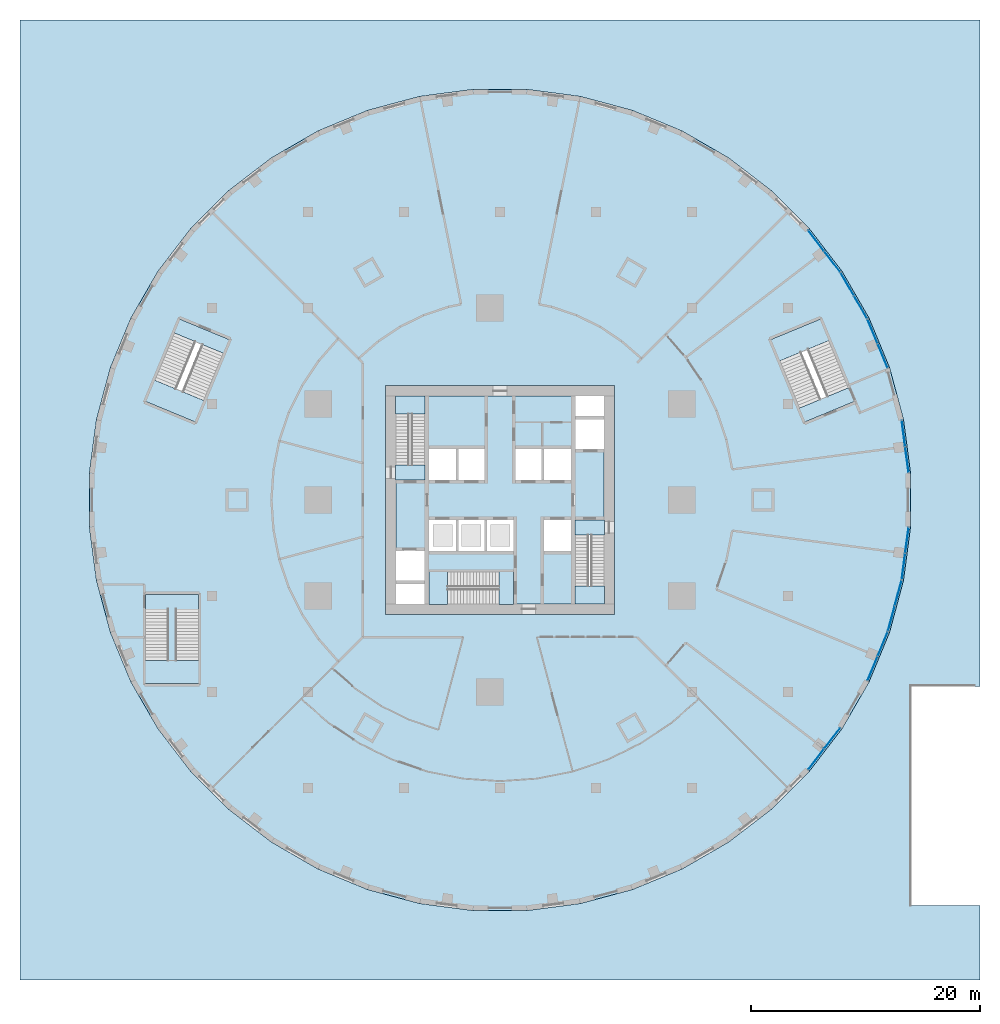
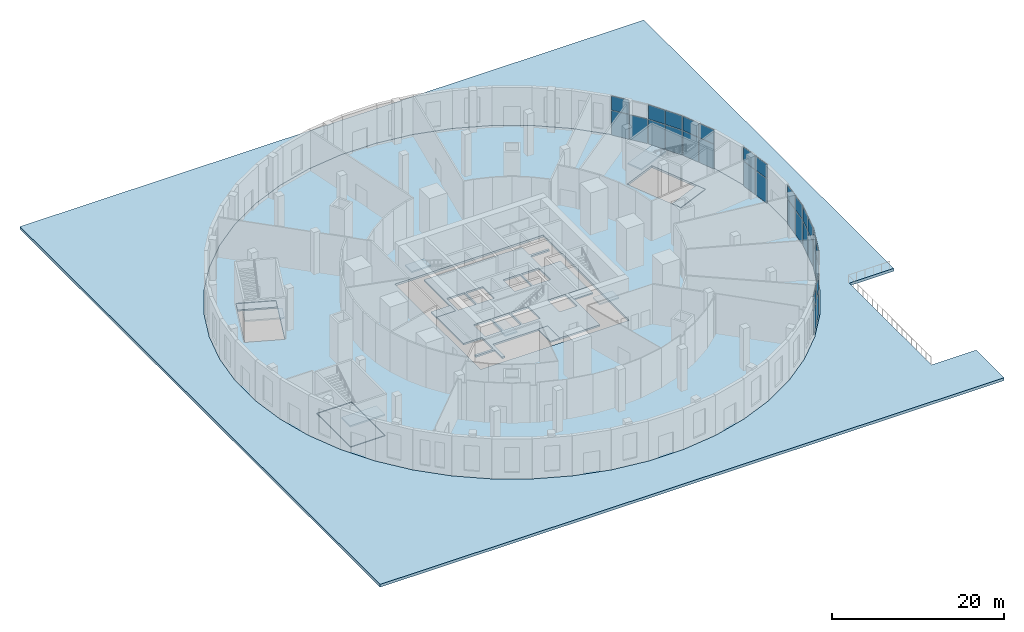
# One storey, part 6 of 19: 31 plates, 15 slabs, 14 elements without a shape of their own.
"""IFC4 building model written with IfcOpenShell, lengths in metres."""

from ifc_helpers import new_model, si_unit, direction, frame, origin, origin_2d, place, context, subcontext, project, spatial, polyline, rectangle, outline, extrude, material, layer, layer_set, type_object, element, aggregate, save


model = new_model("IFC4")

# Units and contexts
model_context = context("Model", 3, precision=1e-05, world=origin(), true_north=direction((0.0, 1.0)))
body_context = subcontext(model_context, "Body", "Model", "MODEL_VIEW")
ifc_project = project(units=[si_unit("LENGTHUNIT", "METRE"), si_unit("AREAUNIT", "SQUARE_METRE"), si_unit("VOLUMEUNIT", "CUBIC_METRE"), si_unit("PLANEANGLEUNIT", "RADIAN"), si_unit("MASSUNIT", "GRAM", prefix="KILO")], contexts=[model_context])

# Site, building, storey
site_placement = place(None, origin())
site = spatial("IfcSite", under=ifc_project, at=site_placement, CompositionType="ELEMENT")
building_placement = place(site_placement, origin())
building = spatial("IfcBuilding", under=site, at=building_placement, Name="Golbaran Civic Tower", CompositionType="ELEMENT")
storey_placement = place(building_placement, origin())
storey = spatial("IfcBuildingStorey", under=building, at=storey_placement, Name="L00", CompositionType="ELEMENT", Elevation=0.0)

# Slabs
ifc_material_1 = material(Name="Concrete C35/45", Category="concrete")
ifc_layer_1 = layer(ifc_material_1, 0.25, Name="Concrete C35/45")
ifc_layer_set_1 = layer_set([ifc_layer_1], Name="Concrete C35/45")
slab_type_1 = type_object("IfcSlabType", Name="CORE FLOOR SLAB 250", PredefinedType="FLOOR", material=ifc_layer_set_1)
slab_1_placement = place(storey_placement, frame((0.0, 0.0, -0.25)))
element("IfcSlab", 1, at=slab_1_placement, inside=storey, type_object=slab_type_1, Name="Core floor slab L00", PredefinedType="FLOOR", context=body_context, shape_type="SweptSolid", body=[
    extrude(outline(polyline([(6.60009765625, -1.75), (6.60009765625, -9.10009765625), (1.199951171875, -9.10009765625), (1.199951171875, -6.300048828125), (-6.199951171875, -6.300048828125), (-6.199951171875, -9.10009765625), (-6.60009765625, -9.10009765625), (-6.60009765625, -7.35009765625), (-9.10009765625, -7.35009765625), (-9.10009765625, -7.050048828125), (-6.60009765625, -7.050048828125), (-6.60009765625, -4.449951171875), (-9.10009765625, -4.449951171875), (-9.10009765625, 1.75), (-6.60009765625, 1.75), (-6.60009765625, 9.10009765625), (6.60009765625, 9.10009765625), (6.60009765625, 7.35009765625), (9.10009765625, 7.35009765625), (9.10009765625, 7.050048828125), (6.60009765625, 7.050048828125), (6.60009765625, 4.449951171875), (9.10009765625, 4.449951171875), (9.10009765625, -1.75), (6.60009765625, -1.75)]), holes=[polyline([(6.199951171875, -1.75), (3.85009765625, -1.75), (3.85009765625, -4.449951171875), (6.199951171875, -4.449951171875), (6.199951171875, -1.75)]), polyline([(6.199951171875, 4.449951171875), (3.85009765625, 4.449951171875), (3.85009765625, 1.75), (6.199951171875, 1.75), (6.199951171875, 4.449951171875)]), polyline([(3.64990234375, 4.449951171875), (1.35009765625, 4.449951171875), (1.35009765625, 1.75), (3.64990234375, 1.75), (3.64990234375, 4.449951171875)]), polyline([(1.199951171875, -1.75), (-1.14990234375, -1.75), (-1.14990234375, -4.449951171875), (1.199951171875, -4.449951171875), (1.199951171875, -1.75)]), polyline([(-1.35009765625, 4.449951171875), (-3.64990234375, 4.449951171875), (-3.64990234375, 1.75), (-1.35009765625, 1.75), (-1.35009765625, 4.449951171875)]), polyline([(-1.35009765625, -1.75), (-3.64990234375, -1.75), (-3.64990234375, -4.449951171875), (-1.35009765625, -4.449951171875), (-1.35009765625, -1.75)]), polyline([(-3.85009765625, -1.75), (-6.199951171875, -1.75), (-6.199951171875, -4.449951171875), (-3.85009765625, -4.449951171875), (-3.85009765625, -1.75)]), polyline([(-3.85009765625, 4.449951171875), (-6.199951171875, 4.449951171875), (-6.199951171875, 1.75), (-3.85009765625, 1.75), (-3.85009765625, 4.449951171875)])]), origin(), (0.0, 0.0, 1.0), 0.25),
])
ifc_layer_2 = layer(ifc_material_1, 0.39990234375, Name="Concrete C35/45")
ifc_layer_set_2 = layer_set([ifc_layer_2], Name="Concrete C35/45")
slab_type_2 = type_object("IfcSlabType", Name="PLAZA DECK 400", PredefinedType="FLOOR", material=ifc_layer_set_2)
slab_2_placement = place(storey_placement, frame((0.0, 0.0, -0.39990234375)))
element("IfcSlab", 2, at=slab_2_placement, inside=storey, type_object=slab_type_2, Name="Plaza deck over the basement", PredefinedType="FLOOR", context=body_context, shape_type="SweptSolid", body=[
    extrude(outline(polyline([(42.0, 42.0), (42.0, -16.300048828125), (36.0, -16.300048828125), (36.0, -35.5), (42.0, -35.5), (42.0, -42.0), (-42.0, -42.0), (-42.0, 42.0), (42.0, 42.0)]), holes=[polyline([(32.287353515625, 15.92236328125), (29.932861328125, 20.00048828125), (27.066162109375, 23.736328125), (23.736328125, 27.066162109375), (20.00048828125, 29.932861328125), (15.92236328125, 32.287353515625), (11.57177734375, 34.089599609375), (7.023193359375, 35.308349609375), (2.3544921875, 35.9228515625), (-2.3544921875, 35.9228515625), (-7.023193359375, 35.308349609375), (-11.57177734375, 34.089599609375), (-15.92236328125, 32.287353515625), (-20.00048828125, 29.932861328125), (-23.736328125, 27.066162109375), (-27.066162109375, 23.736328125), (-29.932861328125, 20.00048828125), (-32.287353515625, 15.92236328125), (-34.089599609375, 11.57177734375), (-35.308349609375, 7.023193359375), (-35.9228515625, 2.3544921875), (-35.9228515625, -2.3544921875), (-35.308349609375, -7.023193359375), (-34.089599609375, -11.57177734375), (-32.287353515625, -15.92236328125), (-29.932861328125, -20.00048828125), (-27.066162109375, -23.736328125), (-23.736328125, -27.066162109375), (-20.00048828125, -29.932861328125), (-15.92236328125, -32.287353515625), (-11.57177734375, -34.089599609375), (-7.023193359375, -35.308349609375), (-2.3544921875, -35.9228515625), (2.3544921875, -35.9228515625), (7.023193359375, -35.308349609375), (11.57177734375, -34.089599609375), (15.92236328125, -32.287353515625), (20.00048828125, -29.932861328125), (23.736328125, -27.066162109375), (27.066162109375, -23.736328125), (29.932861328125, -20.00048828125), (32.287353515625, -15.92236328125), (34.089599609375, -11.57177734375), (35.308349609375, -7.023193359375), (35.9228515625, -2.3544921875), (35.9228515625, 2.3544921875), (35.308349609375, 7.023193359375), (34.089599609375, 11.57177734375), (32.287353515625, 15.92236328125)])]), origin(), (0.0, 0.0, 1.0), 0.39990234375),
])
ifc_layer_3 = layer(ifc_material_1, 0.300048828125, Name="Concrete C35/45")
ifc_layer_set_3 = layer_set([ifc_layer_3], Name="Concrete C35/45")
slab_type_3 = type_object("IfcSlabType", Name="PODIUM FLOOR SLAB 300", PredefinedType="FLOOR", material=ifc_layer_set_3)
slab_3_placement = place(storey_placement, frame((0.0, 0.0, -0.300048828125)))
element("IfcSlab", 3, at=slab_3_placement, inside=storey, type_object=slab_type_3, Name="Podium floor slab L00", PredefinedType="FLOOR", context=body_context, shape_type="SweptSolid", body=[
    extrude(outline(polyline([(34.089599609375, -11.57177734375), (32.287353515625, -15.92236328125), (29.932861328125, -20.00048828125), (27.066162109375, -23.736328125), (23.736328125, -27.066162109375), (20.00048828125, -29.932861328125), (15.92236328125, -32.287353515625), (11.57177734375, -34.089599609375), (7.023193359375, -35.308349609375), (2.3544921875, -35.9228515625), (-2.3544921875, -35.9228515625), (-7.023193359375, -35.308349609375), (-11.57177734375, -34.089599609375), (-15.92236328125, -32.287353515625), (-20.00048828125, -29.932861328125), (-23.736328125, -27.066162109375), (-27.066162109375, -23.736328125), (-29.932861328125, -20.00048828125), (-32.287353515625, -15.92236328125), (-34.089599609375, -11.57177734375), (-35.308349609375, -7.023193359375), (-35.9228515625, -2.3544921875), (-35.9228515625, 2.3544921875), (-35.308349609375, 7.023193359375), (-34.089599609375, 11.57177734375), (-32.287353515625, 15.92236328125), (-29.932861328125, 20.00048828125), (-27.066162109375, 23.736328125), (-23.736328125, 27.066162109375), (-20.00048828125, 29.932861328125), (-15.92236328125, 32.287353515625), (-11.57177734375, 34.089599609375), (-7.023193359375, 35.308349609375), (-2.3544921875, 35.9228515625), (2.3544921875, 35.9228515625), (7.023193359375, 35.308349609375), (11.57177734375, 34.089599609375), (15.92236328125, 32.287353515625), (20.00048828125, 29.932861328125), (23.736328125, 27.066162109375), (27.066162109375, 23.736328125), (29.932861328125, 20.00048828125), (32.287353515625, 15.92236328125), (34.089599609375, 11.57177734375), (35.308349609375, 7.023193359375), (35.9228515625, 2.3544921875), (35.9228515625, -2.3544921875), (35.308349609375, -7.023193359375), (34.089599609375, -11.57177734375)]), holes=[polyline([(26.681884765625, 6.765625), (31.042724609375, 8.572021484375), (28.01171875, 15.88916015625), (23.651123046875, 14.082763671875), (26.681884765625, 6.765625)]), polyline([(-10.0, -10.0), (10.0, -10.0), (10.0, 10.0), (-10.0, 10.0), (-10.0, -10.0)]), polyline([(-23.651123046875, 14.082763671875), (-28.01171875, 15.88916015625), (-31.042724609375, 8.572021484375), (-26.681884765625, 6.765625), (-23.651123046875, 14.082763671875)]), polyline([(-31.06005859375, -8.18994140625), (-31.06005859375, -16.110107421875), (-26.340087890625, -16.110107421875), (-26.340087890625, -8.18994140625), (-31.06005859375, -8.18994140625)])]), origin(), (0.0, 0.0, 1.0), 0.300048828125),
])
slab_4_placement = place(storey_placement, frame((0.0, 0.0, -0.300048828125)))
element("IfcSlab", 4, at=slab_4_placement, inside=storey, type_object=slab_type_3, Name="P3 enclosure floor slab L00", PredefinedType="FLOOR", context=body_context, shape_type="SweptSolid", body=[
    extrude(outline(polyline([(-26.39990234375, -16.050048828125), (-31.0, -16.050048828125), (-31.0, -8.25), (-26.39990234375, -8.25), (-26.39990234375, -16.050048828125)])), origin(), (0.0, 0.0, 1.0), 0.300048828125),
])

# Curtain wall, plates
ifc_material_2 = material(Name="Aluminium and glass", Category="aluminium")
curtain_wall_type = type_object("IfcCurtainWallType", Name="PODIUM GLAZED SCREEN", PredefinedType="NOTDEFINED", material=ifc_material_2)
curtain_wall_1_placement = place(storey_placement, origin())
curtain_wall_1 = element("IfcCurtainWall", 5, at=curtain_wall_1_placement, inside=storey, type_object=curtain_wall_type, Name="Public service hall screen facet 1 CW5", ObjectType="PODIUM SCREEN", PredefinedType="USERDEFINED")
ifc_material_3 = material(Name="Clear insulating glass", Category="glass")
ifc_layer_4 = layer(ifc_material_3, 0.031982421875, Name="Clear insulating glass")
ifc_layer_set_4 = layer_set([ifc_layer_4], Name="Clear insulating glass")
plate_type = type_object("IfcPlateType", Name="PODIUM GLAZED SCREEN GLAZED PANEL", PredefinedType="CURTAIN_PANEL", material=ifc_layer_set_4)
plate_1_placement = place(storey_placement, frame((35.604736328125, 3.523193359375, 0.06982421875), z_axis=(0.0, 0.0, 1.0), x_axis=(-0.130526192324, 0.99144486136, 0.0)))
plate_1 = element("IfcPlate", 6, at=plate_1_placement, type_object=plate_type, Name="CW5 panel 1.1", PredefinedType="CURTAIN_PANEL", context=body_context, shape_type="SweptSolid", body=[
    extrude(rectangle(XDim=2.23876953125, YDim=0.031982421875, at=origin_2d()), origin(), (0.0, 0.0, 1.0), 3.4951171875),
])
plate_2_placement = place(storey_placement, frame((35.604736328125, 3.523193359375, 3.635009765625), z_axis=(0.0, 0.0, 1.0), x_axis=(-0.130526192324, 0.99144486136, 0.0)))
plate_2 = element("IfcPlate", 7, at=plate_2_placement, type_object=plate_type, Name="CW5 panel 1.2", PredefinedType="CURTAIN_PANEL", context=body_context, shape_type="SweptSolid", body=[
    extrude(rectangle(XDim=2.23876953125, YDim=0.031982421875, at=origin_2d()), origin(), (0.0, 0.0, 1.0), 1.9951171875),
])
plate_3_placement = place(storey_placement, frame((35.303466796875, 5.812255859375, 0.06982421875), z_axis=(0.0, 0.0, 1.0), x_axis=(-0.130526192324, 0.99144486136, 0.0)))
plate_3 = element("IfcPlate", 8, at=plate_3_placement, type_object=plate_type, Name="CW5 panel 2.1", PredefinedType="CURTAIN_PANEL", context=body_context, shape_type="SweptSolid", body=[
    extrude(rectangle(XDim=2.23876953125, YDim=0.031982421875, at=origin_2d()), origin(), (0.0, 0.0, 1.0), 3.4951171875),
])
plate_4_placement = place(storey_placement, frame((35.303466796875, 5.812255859375, 3.635009765625), z_axis=(0.0, 0.0, 1.0), x_axis=(-0.130526192324, 0.99144486136, 0.0)))
plate_4 = element("IfcPlate", 9, at=plate_4_placement, type_object=plate_type, Name="CW5 panel 2.2", PredefinedType="CURTAIN_PANEL", context=body_context, shape_type="SweptSolid", body=[
    extrude(rectangle(XDim=2.23876953125, YDim=0.031982421875, at=origin_2d()), origin(), (0.0, 0.0, 1.0), 1.9951171875),
])
aggregate(curtain_wall_1, [plate_1, plate_2, plate_3, plate_4])

curtain_wall_2_placement = place(storey_placement, origin())
curtain_wall_2 = element("IfcCurtainWall", 10, at=curtain_wall_2_placement, inside=storey, type_object=curtain_wall_type, Name="Public service hall screen facet 3 CW5", ObjectType="PODIUM SCREEN", PredefinedType="USERDEFINED")
plate_5_placement = place(storey_placement, frame((33.479736328125, 12.6181640625, 0.06982421875), z_axis=(0.0, 0.0, 1.0), x_axis=(-0.382683432494, 0.923879532458, 0.0)))
plate_5 = element("IfcPlate", 11, at=plate_5_placement, type_object=plate_type, Name="CW5 panel 1.1", PredefinedType="CURTAIN_PANEL", context=body_context, shape_type="SweptSolid", body=[
    extrude(rectangle(XDim=2.23876953125, YDim=0.031982421875, at=origin_2d()), origin(), (0.0, 0.0, 1.0), 3.4951171875),
])
plate_6_placement = place(storey_placement, frame((33.479736328125, 12.6181640625, 3.635009765625), z_axis=(0.0, 0.0, 1.0), x_axis=(-0.382683432494, 0.923879532458, 0.0)))
plate_6 = element("IfcPlate", 12, at=plate_6_placement, type_object=plate_type, Name="CW5 panel 1.2", PredefinedType="CURTAIN_PANEL", context=body_context, shape_type="SweptSolid", body=[
    extrude(rectangle(XDim=2.23876953125, YDim=0.031982421875, at=origin_2d()), origin(), (0.0, 0.0, 1.0), 1.9951171875),
])
plate_7_placement = place(storey_placement, frame((32.59619140625, 14.751220703125, 0.06982421875), z_axis=(0.0, 0.0, 1.0), x_axis=(-0.382683432494, 0.923879532458, 0.0)))
plate_7 = element("IfcPlate", 13, at=plate_7_placement, type_object=plate_type, Name="CW5 panel 2.1", PredefinedType="CURTAIN_PANEL", context=body_context, shape_type="SweptSolid", body=[
    extrude(rectangle(XDim=2.23876953125, YDim=0.031982421875, at=origin_2d()), origin(), (0.0, 0.0, 1.0), 3.4951171875),
])
plate_8_placement = place(storey_placement, frame((32.59619140625, 14.751220703125, 3.635009765625), z_axis=(0.0, 0.0, 1.0), x_axis=(-0.382683432494, 0.923879532458, 0.0)))
plate_8 = element("IfcPlate", 14, at=plate_8_placement, type_object=plate_type, Name="CW5 panel 2.2", PredefinedType="CURTAIN_PANEL", context=body_context, shape_type="SweptSolid", body=[
    extrude(rectangle(XDim=2.23876953125, YDim=0.031982421875, at=origin_2d()), origin(), (0.0, 0.0, 1.0), 1.9951171875),
])
aggregate(curtain_wall_2, [plate_5, plate_6, plate_7, plate_8])

curtain_wall_3_placement = place(storey_placement, origin())
curtain_wall_3 = element("IfcCurtainWall", 15, at=curtain_wall_3_placement, inside=storey, type_object=curtain_wall_type, Name="Public service hall screen facet 4 CW5", ObjectType="PODIUM SCREEN", PredefinedType="USERDEFINED")
plate_9_placement = place(storey_placement, frame((31.54638671875, 16.880126953125, 0.06982421875), z_axis=(0.0, 0.0, 1.0), x_axis=(-0.499999999894, 0.866025403846, 0.0)))
plate_9 = element("IfcPlate", 16, at=plate_9_placement, type_object=plate_type, Name="CW5 panel 1.1", PredefinedType="CURTAIN_PANEL", context=body_context, shape_type="SweptSolid", body=[
    extrude(rectangle(XDim=2.23876953125, YDim=0.031982421875, at=origin_2d()), origin(), (0.0, 0.0, 1.0), 3.4951171875),
])
plate_10_placement = place(storey_placement, frame((31.54638671875, 16.880126953125, 3.635009765625), z_axis=(0.0, 0.0, 1.0), x_axis=(-0.499999999894, 0.866025403846, 0.0)))
plate_10 = element("IfcPlate", 17, at=plate_10_placement, type_object=plate_type, Name="CW5 panel 1.2", PredefinedType="CURTAIN_PANEL", context=body_context, shape_type="SweptSolid", body=[
    extrude(rectangle(XDim=2.23876953125, YDim=0.031982421875, at=origin_2d()), origin(), (0.0, 0.0, 1.0), 1.9951171875),
])
plate_11_placement = place(storey_placement, frame((30.391845703125, 18.879638671875, 0.06982421875), z_axis=(0.0, 0.0, 1.0), x_axis=(-0.499999999894, 0.866025403846, 0.0)))
plate_11 = element("IfcPlate", 18, at=plate_11_placement, type_object=plate_type, Name="CW5 panel 2.1", PredefinedType="CURTAIN_PANEL", context=body_context, shape_type="SweptSolid", body=[
    extrude(rectangle(XDim=2.23876953125, YDim=0.031982421875, at=origin_2d()), origin(), (0.0, 0.0, 1.0), 3.4951171875),
])
plate_12_placement = place(storey_placement, frame((30.391845703125, 18.879638671875, 3.635009765625), z_axis=(0.0, 0.0, 1.0), x_axis=(-0.499999999894, 0.866025403846, 0.0)))
plate_12 = element("IfcPlate", 19, at=plate_12_placement, type_object=plate_type, Name="CW5 panel 2.2", PredefinedType="CURTAIN_PANEL", context=body_context, shape_type="SweptSolid", body=[
    extrude(rectangle(XDim=2.23876953125, YDim=0.031982421875, at=origin_2d()), origin(), (0.0, 0.0, 1.0), 1.9951171875),
])
aggregate(curtain_wall_3, [plate_9, plate_10, plate_11, plate_12])

curtain_wall_4_placement = place(storey_placement, origin())
curtain_wall_4 = element("IfcCurtainWall", 20, at=curtain_wall_4_placement, inside=storey, type_object=curtain_wall_type, Name="Public service hall screen facet 5 CW5", ObjectType="PODIUM SCREEN", PredefinedType="USERDEFINED")
plate_13_placement = place(storey_placement, frame((29.072998046875, 20.853515625, 0.06982421875), z_axis=(0.0, 0.0, 1.0), x_axis=(-0.608761429078, 0.793353340238, 0.0)))
plate_13 = element("IfcPlate", 21, at=plate_13_placement, type_object=plate_type, Name="CW5 panel 1.1", PredefinedType="CURTAIN_PANEL", context=body_context, shape_type="SweptSolid", body=[
    extrude(rectangle(XDim=2.23876953125, YDim=0.031982421875, at=origin_2d()), origin(), (0.0, 0.0, 1.0), 3.4951171875),
])
plate_14_placement = place(storey_placement, frame((27.66748046875, 22.68505859375, 0.06982421875), z_axis=(0.0, 0.0, 1.0), x_axis=(-0.608761429078, 0.793353340238, 0.0)))
plate_14 = element("IfcPlate", 22, at=plate_14_placement, type_object=plate_type, Name="CW5 panel 2.1", PredefinedType="CURTAIN_PANEL", context=body_context, shape_type="SweptSolid", body=[
    extrude(rectangle(XDim=2.23876953125, YDim=0.031982421875, at=origin_2d()), origin(), (0.0, 0.0, 1.0), 3.4951171875),
])
plate_15_placement = place(storey_placement, frame((27.66748046875, 22.68505859375, 3.635009765625), z_axis=(0.0, 0.0, 1.0), x_axis=(-0.608761429078, 0.793353340238, 0.0)))
plate_15 = element("IfcPlate", 23, at=plate_15_placement, type_object=plate_type, Name="CW5 panel 2.2", PredefinedType="CURTAIN_PANEL", context=body_context, shape_type="SweptSolid", body=[
    extrude(rectangle(XDim=2.23876953125, YDim=0.031982421875, at=origin_2d()), origin(), (0.0, 0.0, 1.0), 1.9951171875),
])
aggregate(curtain_wall_4, [plate_13, plate_14, plate_15])

curtain_wall_5_placement = place(storey_placement, origin())
curtain_wall_5 = element("IfcCurtainWall", 24, at=curtain_wall_5_placement, inside=storey, type_object=curtain_wall_type, Name="Public service hall screen facet 43 CW5", ObjectType="PODIUM SCREEN", PredefinedType="USERDEFINED")
plate_16_placement = place(storey_placement, frame((27.66748046875, -22.68505859375, 0.06982421875), z_axis=(0.0, 0.0, 1.0), x_axis=(0.608761429078, 0.793353340238, 0.0)))
plate_16 = element("IfcPlate", 25, at=plate_16_placement, type_object=plate_type, Name="CW5 panel 1.1", PredefinedType="CURTAIN_PANEL", context=body_context, shape_type="SweptSolid", body=[
    extrude(rectangle(XDim=2.23876953125, YDim=0.031982421875, at=origin_2d()), origin(), (0.0, 0.0, 1.0), 3.4951171875),
])
plate_17_placement = place(storey_placement, frame((27.66748046875, -22.68505859375, 3.635009765625), z_axis=(0.0, 0.0, 1.0), x_axis=(0.608761429078, 0.793353340238, 0.0)))
plate_17 = element("IfcPlate", 26, at=plate_17_placement, type_object=plate_type, Name="CW5 panel 1.2", PredefinedType="CURTAIN_PANEL", context=body_context, shape_type="SweptSolid", body=[
    extrude(rectangle(XDim=2.23876953125, YDim=0.031982421875, at=origin_2d()), origin(), (0.0, 0.0, 1.0), 1.9951171875),
])
plate_18_placement = place(storey_placement, frame((29.072998046875, -20.853515625, 0.06982421875), z_axis=(0.0, 0.0, 1.0), x_axis=(0.608761429078, 0.793353340238, 0.0)))
plate_18 = element("IfcPlate", 27, at=plate_18_placement, type_object=plate_type, Name="CW5 panel 2.1", PredefinedType="CURTAIN_PANEL", context=body_context, shape_type="SweptSolid", body=[
    extrude(rectangle(XDim=2.23876953125, YDim=0.031982421875, at=origin_2d()), origin(), (0.0, 0.0, 1.0), 3.4951171875),
])
plate_19_placement = place(storey_placement, frame((29.072998046875, -20.853515625, 3.635009765625), z_axis=(0.0, 0.0, 1.0), x_axis=(0.608761429078, 0.793353340238, 0.0)))
plate_19 = element("IfcPlate", 28, at=plate_19_placement, type_object=plate_type, Name="CW5 panel 2.2", PredefinedType="CURTAIN_PANEL", context=body_context, shape_type="SweptSolid", body=[
    extrude(rectangle(XDim=2.23876953125, YDim=0.031982421875, at=origin_2d()), origin(), (0.0, 0.0, 1.0), 1.9951171875),
])
aggregate(curtain_wall_5, [plate_16, plate_17, plate_18, plate_19])

curtain_wall_6_placement = place(storey_placement, origin())
curtain_wall_6 = element("IfcCurtainWall", 29, at=curtain_wall_6_placement, inside=storey, type_object=curtain_wall_type, Name="Public service hall screen facet 45 CW5", ObjectType="PODIUM SCREEN", PredefinedType="USERDEFINED")
plate_20_placement = place(storey_placement, frame((32.59619140625, -14.751220703125, 0.06982421875), z_axis=(0.0, 0.0, 1.0), x_axis=(0.382683432494, 0.923879532458, 0.0)))
plate_20 = element("IfcPlate", 30, at=plate_20_placement, type_object=plate_type, Name="CW5 panel 1.1", PredefinedType="CURTAIN_PANEL", context=body_context, shape_type="SweptSolid", body=[
    extrude(rectangle(XDim=2.23876953125, YDim=0.031982421875, at=origin_2d()), origin(), (0.0, 0.0, 1.0), 3.4951171875),
])
plate_21_placement = place(storey_placement, frame((32.59619140625, -14.751220703125, 3.635009765625), z_axis=(0.0, 0.0, 1.0), x_axis=(0.382683432494, 0.923879532458, 0.0)))
plate_21 = element("IfcPlate", 31, at=plate_21_placement, type_object=plate_type, Name="CW5 panel 1.2", PredefinedType="CURTAIN_PANEL", context=body_context, shape_type="SweptSolid", body=[
    extrude(rectangle(XDim=2.23876953125, YDim=0.031982421875, at=origin_2d()), origin(), (0.0, 0.0, 1.0), 1.9951171875),
])
plate_22_placement = place(storey_placement, frame((33.479736328125, -12.6181640625, 0.06982421875), z_axis=(0.0, 0.0, 1.0), x_axis=(0.382683432494, 0.923879532458, 0.0)))
plate_22 = element("IfcPlate", 32, at=plate_22_placement, type_object=plate_type, Name="CW5 panel 2.1", PredefinedType="CURTAIN_PANEL", context=body_context, shape_type="SweptSolid", body=[
    extrude(rectangle(XDim=2.23876953125, YDim=0.031982421875, at=origin_2d()), origin(), (0.0, 0.0, 1.0), 3.4951171875),
])
plate_23_placement = place(storey_placement, frame((33.479736328125, -12.6181640625, 3.635009765625), z_axis=(0.0, 0.0, 1.0), x_axis=(0.382683432494, 0.923879532458, 0.0)))
plate_23 = element("IfcPlate", 33, at=plate_23_placement, type_object=plate_type, Name="CW5 panel 2.2", PredefinedType="CURTAIN_PANEL", context=body_context, shape_type="SweptSolid", body=[
    extrude(rectangle(XDim=2.23876953125, YDim=0.031982421875, at=origin_2d()), origin(), (0.0, 0.0, 1.0), 1.9951171875),
])
aggregate(curtain_wall_6, [plate_20, plate_21, plate_22, plate_23])

curtain_wall_7_placement = place(storey_placement, origin())
curtain_wall_7 = element("IfcCurtainWall", 34, at=curtain_wall_7_placement, inside=storey, type_object=curtain_wall_type, Name="Public service hall screen facet 46 CW5", ObjectType="PODIUM SCREEN", PredefinedType="USERDEFINED")
plate_24_placement = place(storey_placement, frame((34.24267578125, -10.370361328125, 0.06982421875), z_axis=(0.0, 0.0, 1.0), x_axis=(0.258819044968, 0.965925826325, 0.0)))
plate_24 = element("IfcPlate", 35, at=plate_24_placement, type_object=plate_type, Name="CW5 panel 1.1", PredefinedType="CURTAIN_PANEL", context=body_context, shape_type="SweptSolid", body=[
    extrude(rectangle(XDim=2.23876953125, YDim=0.031982421875, at=origin_2d()), origin(), (0.0, 0.0, 1.0), 3.4951171875),
])
plate_25_placement = place(storey_placement, frame((34.24267578125, -10.370361328125, 3.635009765625), z_axis=(0.0, 0.0, 1.0), x_axis=(0.258819044968, 0.965925826325, 0.0)))
plate_25 = element("IfcPlate", 36, at=plate_25_placement, type_object=plate_type, Name="CW5 panel 1.2", PredefinedType="CURTAIN_PANEL", context=body_context, shape_type="SweptSolid", body=[
    extrude(rectangle(XDim=2.23876953125, YDim=0.031982421875, at=origin_2d()), origin(), (0.0, 0.0, 1.0), 1.9951171875),
])
plate_26_placement = place(storey_placement, frame((34.84033203125, -8.140380859375, 0.06982421875), z_axis=(0.0, 0.0, 1.0), x_axis=(0.258819044968, 0.965925826325, 0.0)))
plate_26 = element("IfcPlate", 37, at=plate_26_placement, type_object=plate_type, Name="CW5 panel 2.1", PredefinedType="CURTAIN_PANEL", context=body_context, shape_type="SweptSolid", body=[
    extrude(rectangle(XDim=2.23876953125, YDim=0.031982421875, at=origin_2d()), origin(), (0.0, 0.0, 1.0), 3.4951171875),
])
plate_27_placement = place(storey_placement, frame((34.84033203125, -8.140380859375, 3.635009765625), z_axis=(0.0, 0.0, 1.0), x_axis=(0.258819044968, 0.965925826325, 0.0)))
plate_27 = element("IfcPlate", 38, at=plate_27_placement, type_object=plate_type, Name="CW5 panel 2.2", PredefinedType="CURTAIN_PANEL", context=body_context, shape_type="SweptSolid", body=[
    extrude(rectangle(XDim=2.23876953125, YDim=0.031982421875, at=origin_2d()), origin(), (0.0, 0.0, 1.0), 1.9951171875),
])
aggregate(curtain_wall_7, [plate_24, plate_25, plate_26, plate_27])

curtain_wall_8_placement = place(storey_placement, origin())
curtain_wall_8 = element("IfcCurtainWall", 39, at=curtain_wall_8_placement, inside=storey, type_object=curtain_wall_type, Name="Public service hall screen facet 47 CW5", ObjectType="PODIUM SCREEN", PredefinedType="USERDEFINED")
plate_28_placement = place(storey_placement, frame((35.303466796875, -5.812255859375, 0.06982421875), z_axis=(0.0, 0.0, 1.0), x_axis=(0.130526192324, 0.99144486136, 0.0)))
plate_28 = element("IfcPlate", 40, at=plate_28_placement, type_object=plate_type, Name="CW5 panel 1.1", PredefinedType="CURTAIN_PANEL", context=body_context, shape_type="SweptSolid", body=[
    extrude(rectangle(XDim=2.23876953125, YDim=0.031982421875, at=origin_2d()), origin(), (0.0, 0.0, 1.0), 3.4951171875),
])
plate_29_placement = place(storey_placement, frame((35.303466796875, -5.812255859375, 3.635009765625), z_axis=(0.0, 0.0, 1.0), x_axis=(0.130526192324, 0.99144486136, 0.0)))
plate_29 = element("IfcPlate", 41, at=plate_29_placement, type_object=plate_type, Name="CW5 panel 1.2", PredefinedType="CURTAIN_PANEL", context=body_context, shape_type="SweptSolid", body=[
    extrude(rectangle(XDim=2.23876953125, YDim=0.031982421875, at=origin_2d()), origin(), (0.0, 0.0, 1.0), 1.9951171875),
])
plate_30_placement = place(storey_placement, frame((35.604736328125, -3.523193359375, 0.06982421875), z_axis=(0.0, 0.0, 1.0), x_axis=(0.130526192324, 0.99144486136, 0.0)))
plate_30 = element("IfcPlate", 42, at=plate_30_placement, type_object=plate_type, Name="CW5 panel 2.1", PredefinedType="CURTAIN_PANEL", context=body_context, shape_type="SweptSolid", body=[
    extrude(rectangle(XDim=2.23876953125, YDim=0.031982421875, at=origin_2d()), origin(), (0.0, 0.0, 1.0), 3.4951171875),
])
plate_31_placement = place(storey_placement, frame((35.604736328125, -3.523193359375, 3.635009765625), z_axis=(0.0, 0.0, 1.0), x_axis=(0.130526192324, 0.99144486136, 0.0)))
plate_31 = element("IfcPlate", 43, at=plate_31_placement, type_object=plate_type, Name="CW5 panel 2.2", PredefinedType="CURTAIN_PANEL", context=body_context, shape_type="SweptSolid", body=[
    extrude(rectangle(XDim=2.23876953125, YDim=0.031982421875, at=origin_2d()), origin(), (0.0, 0.0, 1.0), 1.9951171875),
])
aggregate(curtain_wall_8, [plate_28, plate_29, plate_30, plate_31])

# Stair, slab
stair_type_1 = type_object("IfcStairType", Name="EXIT STAIR 2500 x 7350, 6000 RISE", PredefinedType="HALF_TURN_STAIR", material=ifc_material_1)
stair_1_placement = place(storey_placement, origin())
stair_1 = element("IfcStair", 44, at=stair_1_placement, inside=storey, type_object=stair_type_1, Name="Stair S1 L00", PredefinedType="HALF_TURN_STAIR")
ifc_layer_5 = layer(ifc_material_1, 0.199951171875, Name="Concrete C35/45")
ifc_layer_set_5 = layer_set([ifc_layer_5], Name="Concrete C35/45")
slab_type_4 = type_object("IfcSlabType", Name="STAIR LANDING 200", PredefinedType="LANDING", material=ifc_layer_set_5)
slab_5_placement = place(storey_placement, frame((0.0, 0.0, 2.800048828125)))
slab_5 = element("IfcSlab", 45, at=slab_5_placement, type_object=slab_type_4, Name="ST25074-60 landing 1", PredefinedType="LANDING", context=body_context, shape_type="SweptSolid", body=[
    extrude(outline(polyline([(-9.14990234375, 7.52490234375), (-9.14990234375, 9.10009765625), (-6.550048828125, 9.10009765625), (-6.550048828125, 7.52490234375), (-9.14990234375, 7.52490234375)])), origin(), (0.0, 0.0, 1.0), 0.199951171875),
])
aggregate(stair_1, [slab_5])

# Slab
slab_6_placement = place(storey_placement, frame((0.0, 0.0, -0.199951171875)))
element("IfcSlab", 46, at=slab_6_placement, inside=storey, type_object=slab_type_4, Name="Stair S1 floor landing L00", PredefinedType="LANDING", context=body_context, shape_type="SweptSolid", body=[
    extrude(outline(polyline([(-9.14990234375, 1.75), (-9.14990234375, 3.054931640625), (-6.550048828125, 3.054931640625), (-6.550048828125, 1.75), (-9.14990234375, 1.75)])), origin(), (0.0, 0.0, 1.0), 0.199951171875),
])

# Stair, slab
stair_2_placement = place(storey_placement, origin())
stair_2 = element("IfcStair", 47, at=stair_2_placement, inside=storey, type_object=stair_type_1, Name="Stair S2 L00", PredefinedType="HALF_TURN_STAIR")
slab_7_placement = place(storey_placement, frame((0.0, 0.0, 2.800048828125)))
slab_7 = element("IfcSlab", 48, at=slab_7_placement, type_object=slab_type_4, Name="ST25074-60 landing 1", PredefinedType="LANDING", context=body_context, shape_type="SweptSolid", body=[
    extrude(outline(polyline([(9.14990234375, -7.52490234375), (9.14990234375, -9.10009765625), (6.550048828125, -9.10009765625), (6.550048828125, -7.52490234375), (9.14990234375, -7.52490234375)])), origin(), (0.0, 0.0, 1.0), 0.199951171875),
])
aggregate(stair_2, [slab_7])

# Slab
slab_8_placement = place(storey_placement, frame((0.0, 0.0, -0.199951171875)))
element("IfcSlab", 49, at=slab_8_placement, inside=storey, type_object=slab_type_4, Name="Stair S2 floor landing L00", PredefinedType="LANDING", context=body_context, shape_type="SweptSolid", body=[
    extrude(outline(polyline([(9.14990234375, -1.75), (9.14990234375, -3.054931640625), (6.550048828125, -3.054931640625), (6.550048828125, -1.75), (9.14990234375, -1.75)])), origin(), (0.0, 0.0, 1.0), 0.199951171875),
])

# Stair, slab
stair_type_2 = type_object("IfcStairType", Name="EXIT STAIR 2800 x 7400, 6000 RISE", PredefinedType="HALF_TURN_STAIR", material=ifc_material_1)
stair_3_placement = place(storey_placement, origin())
stair_3 = element("IfcStair", 50, at=stair_3_placement, inside=storey, type_object=stair_type_2, Name="Stair S3 L00", PredefinedType="HALF_TURN_STAIR")
slab_9_placement = place(storey_placement, frame((0.0, 0.0, 2.800048828125)))
slab_9 = element("IfcSlab", 51, at=slab_9_placement, type_object=slab_type_4, Name="ST28074-60 landing 1", PredefinedType="LANDING", context=body_context, shape_type="SweptSolid", body=[
    extrude(outline(polyline([(-4.574951171875, -9.14990234375), (-6.199951171875, -9.14990234375), (-6.199951171875, -6.25), (-4.574951171875, -6.25), (-4.574951171875, -9.14990234375)])), origin(), (0.0, 0.0, 1.0), 0.199951171875),
])
aggregate(stair_3, [slab_9])

# Slab
slab_10_placement = place(storey_placement, frame((0.0, 0.0, -0.199951171875)))
element("IfcSlab", 52, at=slab_10_placement, inside=storey, type_object=slab_type_4, Name="Stair S3 floor landing L00", PredefinedType="LANDING", context=body_context, shape_type="SweptSolid", body=[
    extrude(outline(polyline([(1.199951171875, -9.14990234375), (-0.10498046875, -9.14990234375), (-0.10498046875, -6.25), (1.199951171875, -6.25), (1.199951171875, -9.14990234375)])), origin(), (0.0, 0.0, 1.0), 0.199951171875),
])

# Stair, slab
stair_type_3 = type_object("IfcStairType", Name="EXIT STAIR 4600 x 7800, 6000 RISE", PredefinedType="HALF_TURN_STAIR", material=ifc_material_1)
stair_4_placement = place(storey_placement, origin())
stair_4 = element("IfcStair", 53, at=stair_4_placement, inside=storey, type_object=stair_type_3, Name="Stair P1 L00", PredefinedType="HALF_TURN_STAIR")
slab_11_placement = place(storey_placement, frame((0.0, 0.0, 2.800048828125)))
slab_11 = element("IfcSlab", 54, at=slab_11_placement, type_object=slab_type_4, Name="ST46078-60 landing 1", PredefinedType="LANDING", context=body_context, shape_type="SweptSolid", body=[
    extrude(outline(polyline([(24.458251953125, 12.160400390625), (23.683349609375, 14.03125), (28.025390625, 15.829833984375), (28.800537109375, 13.958984375), (24.458251953125, 12.160400390625)])), origin(), (0.0, 0.0, 1.0), 0.199951171875),
])
aggregate(stair_4, [slab_11])

# Slab
slab_12_placement = place(storey_placement, frame((0.0, 0.0, -0.199951171875)))
element("IfcSlab", 55, at=slab_12_placement, inside=storey, type_object=slab_type_4, Name="Stair P1 floor landing L00", PredefinedType="LANDING", context=body_context, shape_type="SweptSolid", body=[
    extrude(outline(polyline([(26.668212890625, 6.824951171875), (26.168701171875, 8.03076171875), (30.510986328125, 9.829345703125), (31.010498046875, 8.62353515625), (26.668212890625, 6.824951171875)])), origin(), (0.0, 0.0, 1.0), 0.199951171875),
])

# Stair, slab
stair_5_placement = place(storey_placement, origin())
stair_5 = element("IfcStair", 56, at=stair_5_placement, inside=storey, type_object=stair_type_3, Name="Stair P2 L00", PredefinedType="HALF_TURN_STAIR")
slab_13_placement = place(storey_placement, frame((0.0, 0.0, 2.800048828125)))
slab_13 = element("IfcSlab", 57, at=slab_13_placement, type_object=slab_type_4, Name="ST46078-60 landing 1", PredefinedType="LANDING", context=body_context, shape_type="SweptSolid", body=[
    extrude(outline(polyline([(-25.893310546875, 8.69580078125), (-26.668212890625, 6.824951171875), (-31.010498046875, 8.62353515625), (-30.235595703125, 10.494384765625), (-25.893310546875, 8.69580078125)])), origin(), (0.0, 0.0, 1.0), 0.199951171875),
])
aggregate(stair_5, [slab_13])

# Slab
slab_14_placement = place(storey_placement, frame((0.0, 0.0, -0.199951171875)))
element("IfcSlab", 58, at=slab_14_placement, inside=storey, type_object=slab_type_4, Name="Stair P2 floor landing L00", PredefinedType="LANDING", context=body_context, shape_type="SweptSolid", body=[
    extrude(outline(polyline([(-23.683349609375, 14.03125), (-24.1826171875, 12.82568359375), (-28.52490234375, 14.624267578125), (-28.025390625, 15.829833984375), (-23.683349609375, 14.03125)])), origin(), (0.0, 0.0, 1.0), 0.199951171875),
])

# Stair, slab
stair_6_placement = place(storey_placement, origin())
stair_6 = element("IfcStair", 59, at=stair_6_placement, inside=storey, type_object=stair_type_3, Name="Stair P3 L00", PredefinedType="HALF_TURN_STAIR")
slab_15_placement = place(storey_placement, frame((0.0, 0.0, 2.800048828125)))
slab_15 = element("IfcSlab", 60, at=slab_15_placement, type_object=slab_type_4, Name="ST46078-60 landing 1", PredefinedType="LANDING", context=body_context, shape_type="SweptSolid", body=[
    extrude(outline(polyline([(-26.35009765625, -14.02490234375), (-26.35009765625, -16.050048828125), (-31.050048828125, -16.050048828125), (-31.050048828125, -14.02490234375), (-26.35009765625, -14.02490234375)])), origin(), (0.0, 0.0, 1.0), 0.199951171875),
])
aggregate(stair_6, [slab_15])

save(model, "model.ifc")
